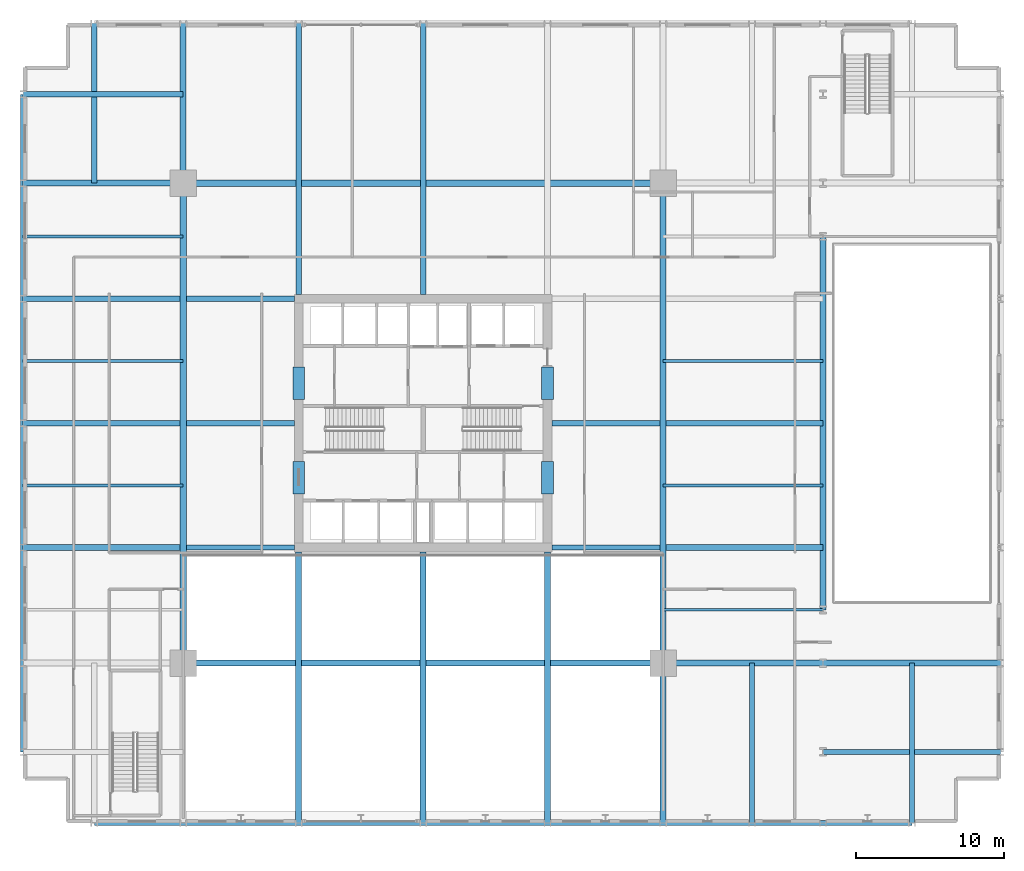
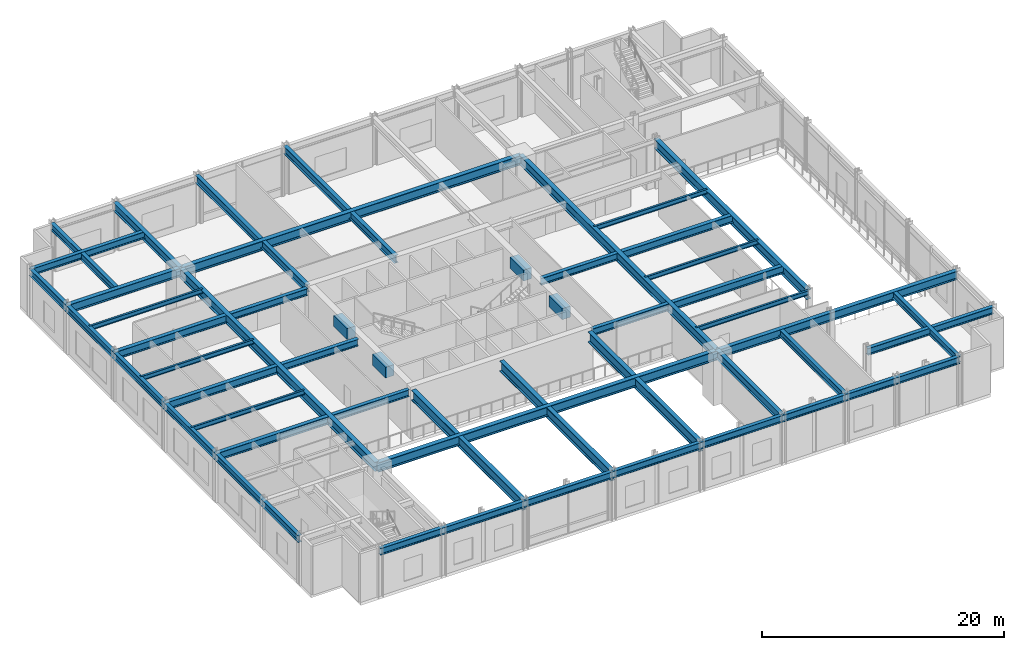
# One storey, part 4 of 19: 42 beams.
"""IFC4 building model written with IfcOpenShell, lengths in metres."""

from ifc_helpers import new_model, si_unit, direction, frame, origin, origin_2d, place, context, subcontext, project, spatial, rectangle, i_section, extrude, material, material_profile, profile_set, type_object, element, save


model = new_model("IFC4")

# Units and contexts
model_context = context("Model", 3, precision=1e-05, world=origin(), true_north=direction((0.0, 1.0)))
body_context = subcontext(model_context, "Body", "Model", "MODEL_VIEW")
ifc_project = project(units=[si_unit("LENGTHUNIT", "METRE"), si_unit("AREAUNIT", "SQUARE_METRE"), si_unit("VOLUMEUNIT", "CUBIC_METRE"), si_unit("PLANEANGLEUNIT", "RADIAN"), si_unit("MASSUNIT", "GRAM", prefix="KILO")], contexts=[model_context])

# Site, building, storey
site_placement = place(None, origin())
site = spatial("IfcSite", under=ifc_project, at=site_placement, CompositionType="ELEMENT")
building_placement = place(site_placement, origin())
building = spatial("IfcBuilding", under=site, at=building_placement, Name="Drelvath Grand Hotel", CompositionType="ELEMENT")
storey_placement = place(building_placement, frame((0.0, 0.0, 17.199951171875)))
storey = spatial("IfcBuildingStorey", under=building, at=storey_placement, Name="L03", CompositionType="ELEMENT", Elevation=17.199951171875)

# Beams
ifc_material_1 = material(Name="Steel ASTM A992 Gr 50", Category="steel")
ifc_material_profile_1 = material_profile(ifc_material_1, i_section(OverallWidth=0.19140625, OverallDepth=0.4599609375, WebThickness=0.010009765625, FlangeThickness=0.01611328125, FilletRadius=0.01611328125, at=origin_2d()), Name="W18X55")
ifc_profile_set_1 = profile_set([ifc_material_profile_1], Name="Steel ASTM A992 Gr 50")
beam_type_1 = type_object("IfcBeamType", Name="Composite Floor Joist W18X55", PredefinedType="JOIST", material=ifc_profile_set_1)
for number, where, z_axis, x_axis, name in (
    (1, (-27.0, 22.800048828125, 4.670166015625), (1.0, 0.0, 0.0), (0.0, 1.0, 0.0), "L03 West Composite Joist J1"),
    (2, (16.199951171875, 22.800048828125, 4.670166015625), (1.0, 0.0, 0.0), (0.0, 1.0, 0.0), "L03 East Composite Joist J1"),
    (3, (-27.0, 31.199951171875, 4.670166015625), (1.0, 0.0, 0.0), (0.0, 1.0, 0.0), "L03 West Composite Joist J2"),
    (4, (16.199951171875, 31.199951171875, 4.670166015625), (1.0, 0.0, 0.0), (0.0, 1.0, 0.0), "L03 East Composite Joist J2"),
    (5, (16.199951171875, 14.39990234375, 4.670166015625), (1.0, 0.0, 0.0), (0.0, 1.0, 0.0), "L03 East Composite Joist J3"),
    (6, (-27.0, 39.60009765625, 4.670166015625), (1.0, 0.0, 0.0), (0.0, 1.0, 0.0), "L03 West Composite Joist J4"),
):
    element("IfcBeam", number, at=place(storey_placement, frame(where, z_axis=z_axis, x_axis=x_axis)), inside=storey, type_object=beam_type_1, Name=name, PredefinedType="JOIST", context=body_context, shape_type="SweptSolid", body=[
        extrude(i_section(OverallWidth=0.19140625, OverallDepth=0.4599609375, WebThickness=0.010009765625, FlangeThickness=0.01611328125, FilletRadius=0.01611328125, at=origin_2d()), origin(), (0.0, 0.0, 1.0), 10.800048828125),
    ])
ifc_material_2 = material(Name="Concrete f'c 70 MPa", Category="concrete")
ifc_material_profile_2 = material_profile(ifc_material_2, rectangle(XDim=0.800048828125, YDim=1.10009765625, at=origin_2d()), Name="CB800X1100")
ifc_profile_set_2 = profile_set([ifc_material_profile_2], Name="Concrete f'c 70 MPa")
beam_type_2 = type_object("IfcBeamType", Name="Core Coupling Lintel CB800X1100", PredefinedType="LINTEL", material=ifc_profile_set_2)
for number, where, z_axis, x_axis, name in (
    (7, (-8.39990234375, 22.199951171875, 4.35009765625), (0.0, 1.0, 0.0), (-1.0, 0.0, 0.0), "L03 Core Coupling Lintel WS"),
    (8, (-8.39990234375, 28.60009765625, 4.35009765625), (0.0, 1.0, 0.0), (-1.0, 0.0, 0.0), "L03 Core Coupling Lintel WN"),
    (9, (8.39990234375, 22.199951171875, 4.35009765625), (0.0, 1.0, 0.0), (-1.0, 0.0, 0.0), "L03 Core Coupling Lintel ES"),
    (10, (8.39990234375, 28.60009765625, 4.35009765625), (0.0, 1.0, 0.0), (-1.0, 0.0, 0.0), "L03 Core Coupling Lintel EN"),
):
    element("IfcBeam", number, at=place(storey_placement, frame(where, z_axis=z_axis, x_axis=x_axis)), inside=storey, type_object=beam_type_2, Name=name, PredefinedType="LINTEL", context=body_context, shape_type="SweptSolid", body=[
        extrude(rectangle(XDim=0.800048828125, YDim=1.10009765625, at=origin_2d()), origin(), (0.0, 0.0, 1.0), 2.199951171875),
    ])
ifc_material_profile_3 = material_profile(ifc_material_1, i_section(OverallWidth=0.354736328125, OverallDepth=0.695556640625, WebThickness=0.015380859375, FlangeThickness=0.025146484375, FilletRadius=0.02392578125, at=origin_2d()), Name="W27X146")
ifc_profile_set_3 = profile_set([ifc_material_profile_3], Name="Steel ASTM A992 Gr 50")
beam_type_3 = type_object("IfcBeamType", Name="Perimeter Spandrel Beam W27X146", PredefinedType="SPANDREL", material=ifc_profile_set_3)
beam_1_placement = place(storey_placement, frame((-27.0, 4.800048828125, 4.55224609375), z_axis=(0.0, 1.0, 0.0), x_axis=(-1.0, 0.0, 0.0)))
element("IfcBeam", 11, at=beam_1_placement, inside=storey, type_object=beam_type_3, Name="L03 Podium Perimeter Spandrel SPW1", PredefinedType="SPANDREL", context=body_context, shape_type="SweptSolid", body=[
    extrude(i_section(OverallWidth=0.354736328125, OverallDepth=0.695556640625, WebThickness=0.015380859375, FlangeThickness=0.025146484375, FilletRadius=0.02392578125, at=origin_2d()), origin(), (0.0, 0.0, 1.0), 44.39990234375),
])
beam_2_placement = place(storey_placement, frame((-22.199951171875, 0.0, 4.55224609375), z_axis=(1.0, 0.0, 0.0), x_axis=(0.0, 1.0, 0.0)))
element("IfcBeam", 12, at=beam_2_placement, inside=storey, type_object=beam_type_3, Name="L03 Podium Perimeter Spandrel SPS1", PredefinedType="SPANDREL", context=body_context, shape_type="SweptSolid", body=[
    extrude(i_section(OverallWidth=0.354736328125, OverallDepth=0.695556640625, WebThickness=0.015380859375, FlangeThickness=0.025146484375, FilletRadius=0.02392578125, at=origin_2d()), origin(), (0.0, 0.0, 1.0), 55.199951171875),
])
ifc_material_profile_4 = material_profile(ifc_material_1, i_section(OverallWidth=0.354736328125, OverallDepth=0.695556640625, WebThickness=0.015380859375, FlangeThickness=0.025146484375, FilletRadius=0.02392578125, at=origin_2d()), Name="W27X146")
ifc_profile_set_4 = profile_set([ifc_material_profile_4], Name="Steel ASTM A992 Gr 50")
beam_type_4 = type_object("IfcBeamType", Name="Primary Floor Girder W27X146", PredefinedType="BEAM", material=ifc_profile_set_4)
for number, where, z_axis, x_axis, name in (
    (13, (-15.988525390625, 18.60009765625, 4.55224609375), (1.0, 0.0, 0.0), (0.0, 1.0, 0.0), "L03 West Core Girder D"),
    (14, (8.699951171875, 18.60009765625, 4.55224609375), (1.0, 0.0, 0.0), (0.0, 1.0, 0.0), "L03 East Core Girder D"),
    (15, (-15.988525390625, 27.0, 4.55224609375), (1.0, 0.0, 0.0), (0.0, 1.0, 0.0), "L03 West Core Girder E"),
    (16, (8.699951171875, 27.0, 4.55224609375), (1.0, 0.0, 0.0), (0.0, 1.0, 0.0), "L03 East Core Girder E"),
    (17, (-15.988525390625, 35.39990234375, 4.55224609375), (1.0, 0.0, 0.0), (0.0, 1.0, 0.0), "L03 West Core Girder F"),
):
    element("IfcBeam", number, at=place(storey_placement, frame(where, z_axis=z_axis, x_axis=x_axis)), inside=storey, type_object=beam_type_4, Name=name, PredefinedType="BEAM", context=body_context, shape_type="SweptSolid", body=[
        extrude(i_section(OverallWidth=0.354736328125, OverallDepth=0.695556640625, WebThickness=0.015380859375, FlangeThickness=0.025146484375, FilletRadius=0.02392578125, at=origin_2d()), origin(), (0.0, 0.0, 1.0), 7.28857421875),
    ])
beam_3_placement = place(storey_placement, frame((27.0, 4.800048828125, 4.55224609375), z_axis=(1.0, 0.0, 0.0), x_axis=(0.0, 1.0, 0.0)))
element("IfcBeam", 18, at=beam_3_placement, inside=storey, type_object=beam_type_4, Name="L03 East Corner Tie B", PredefinedType="BEAM", context=body_context, shape_type="SweptSolid", body=[
    extrude(i_section(OverallWidth=0.354736328125, OverallDepth=0.695556640625, WebThickness=0.015380859375, FlangeThickness=0.025146484375, FilletRadius=0.02392578125, at=origin_2d()), origin(), (0.0, 0.0, 1.0), 12.0),
])
for number, where, z_axis, x_axis, name in (
    (19, (-27.0, 49.199951171875, 4.55224609375), (1.0, 0.0, 0.0), (0.0, 1.0, 0.0), "L03 West Corner Tie H"),
    (20, (-22.199951171875, 43.199951171875, 4.55224609375), (0.0, 1.0, 0.0), (-1.0, 0.0, 0.0), "L03 North Corner Tie 2"),
    (21, (22.199951171875, 0.0, 4.55224609375), (0.0, 1.0, 0.0), (-1.0, 0.0, 0.0), "L03 South Corner Tie 8"),
    (22, (33.0, 0.0, 4.55224609375), (0.0, 1.0, 0.0), (-1.0, 0.0, 0.0), "L03 South Corner Tie 10"),
):
    element("IfcBeam", number, at=place(storey_placement, frame(where, z_axis=z_axis, x_axis=x_axis)), inside=storey, type_object=beam_type_4, Name=name, PredefinedType="BEAM", context=body_context, shape_type="SweptSolid", body=[
        extrude(i_section(OverallWidth=0.354736328125, OverallDepth=0.695556640625, WebThickness=0.015380859375, FlangeThickness=0.025146484375, FilletRadius=0.02392578125, at=origin_2d()), origin(), (0.0, 0.0, 1.0), 10.800048828125),
    ])
ifc_material_profile_5 = material_profile(ifc_material_1, i_section(OverallWidth=0.380615234375, OverallDepth=0.773193359375, WebThickness=0.0166015625, FlangeThickness=0.027099609375, FilletRadius=0.02490234375, at=origin_2d()), Name="W30X173")
ifc_profile_set_5 = profile_set([ifc_material_profile_5], Name="Steel ASTM A992 Gr 50")
beam_type_5 = type_object("IfcBeamType", Name="Primary Floor Girder W30X173", PredefinedType="BEAM", material=ifc_profile_set_5)
for number, where, z_axis, x_axis, name in (
    (23, (-8.39990234375, 35.699951171875, 4.513427734375), (0.0, 1.0, 0.0), (-1.0, 0.0, 0.0), "L03 North Span Girder Grid 4"),
    (24, (0.0, 35.699951171875, 4.513427734375), (0.0, 1.0, 0.0), (-1.0, 0.0, 0.0), "L03 North Span Girder Grid 5"),
):
    element("IfcBeam", number, at=place(storey_placement, frame(where, z_axis=z_axis, x_axis=x_axis)), inside=storey, type_object=beam_type_5, Name=name, PredefinedType="BEAM", context=body_context, shape_type="SweptSolid", body=[
        extrude(i_section(OverallWidth=0.380615234375, OverallDepth=0.773193359375, WebThickness=0.0166015625, FlangeThickness=0.027099609375, FilletRadius=0.02490234375, at=origin_2d()), origin(), (0.0, 0.0, 1.0), 18.300048828125),
    ])
for number, where, z_axis, x_axis, name in (
    (25, (-27.0, 18.60009765625, 4.513427734375), (1.0, 0.0, 0.0), (0.0, 1.0, 0.0), "L03 West Bay Girder D"),
    (26, (16.41162109375, 18.60009765625, 4.513427734375), (1.0, 0.0, 0.0), (0.0, 1.0, 0.0), "L03 East Bay Girder D"),
    (27, (-27.0, 27.0, 4.513427734375), (1.0, 0.0, 0.0), (0.0, 1.0, 0.0), "L03 West Bay Girder E"),
    (28, (16.41162109375, 27.0, 4.513427734375), (1.0, 0.0, 0.0), (0.0, 1.0, 0.0), "L03 East Bay Girder E"),
    (29, (-27.0, 35.39990234375, 4.513427734375), (1.0, 0.0, 0.0), (0.0, 1.0, 0.0), "L03 West Bay Girder F"),
):
    element("IfcBeam", number, at=place(storey_placement, frame(where, z_axis=z_axis, x_axis=x_axis)), inside=storey, type_object=beam_type_5, Name=name, PredefinedType="BEAM", context=body_context, shape_type="SweptSolid", body=[
        extrude(i_section(OverallWidth=0.380615234375, OverallDepth=0.773193359375, WebThickness=0.0166015625, FlangeThickness=0.027099609375, FilletRadius=0.02490234375, at=origin_2d()), origin(), (0.0, 0.0, 1.0), 10.58837890625),
    ])
ifc_material_profile_6 = material_profile(ifc_material_1, i_section(OverallWidth=0.39990234375, OverallDepth=0.85546875, WebThickness=0.018310546875, FlangeThickness=0.029296875, FilletRadius=0.02490234375, at=origin_2d()), Name="W33X201")
ifc_profile_set_6 = profile_set([ifc_material_profile_6], Name="Steel ASTM A992 Gr 50")
beam_type_6 = type_object("IfcBeamType", Name="Primary Floor Girder W33X201", PredefinedType="BEAM", material=ifc_profile_set_6)
beam_4_placement = place(storey_placement, frame((16.199951171875, 10.800048828125, 4.472412109375), z_axis=(1.0, 0.0, 0.0), x_axis=(0.0, 1.0, 0.0)))
element("IfcBeam", 30, at=beam_4_placement, inside=storey, type_object=beam_type_6, Name="L03 East Podium Girder 1 C", PredefinedType="BEAM", context=body_context, shape_type="SweptSolid", body=[
    extrude(i_section(OverallWidth=0.39990234375, OverallDepth=0.85546875, WebThickness=0.018310546875, FlangeThickness=0.029296875, FilletRadius=0.02490234375, at=origin_2d()), origin(), (0.0, 0.0, 1.0), 10.800048828125),
])
beam_5_placement = place(storey_placement, frame((27.0, 10.800048828125, 4.472412109375), z_axis=(1.0, 0.0, 0.0), x_axis=(0.0, 1.0, 0.0)))
element("IfcBeam", 31, at=beam_5_placement, inside=storey, type_object=beam_type_6, Name="L03 East Podium Girder 2 C", PredefinedType="BEAM", context=body_context, shape_type="SweptSolid", body=[
    extrude(i_section(OverallWidth=0.39990234375, OverallDepth=0.85546875, WebThickness=0.018310546875, FlangeThickness=0.029296875, FilletRadius=0.02490234375, at=origin_2d()), origin(), (0.0, 0.0, 1.0), 12.0),
])
for number, where, z_axis, x_axis, name in (
    (32, (-27.0, 43.199951171875, 4.472412109375), (1.0, 0.0, 0.0), (0.0, 1.0, 0.0), "L03 West Podium Girder G"),
    (33, (-16.199951171875, 43.199951171875, 4.472412109375), (0.0, 1.0, 0.0), (-1.0, 0.0, 0.0), "L03 North Podium Girder 3"),
    (34, (16.199951171875, 0.0, 4.472412109375), (0.0, 1.0, 0.0), (-1.0, 0.0, 0.0), "L03 South Podium Girder 7"),
):
    element("IfcBeam", number, at=place(storey_placement, frame(where, z_axis=z_axis, x_axis=x_axis)), inside=storey, type_object=beam_type_6, Name=name, PredefinedType="BEAM", context=body_context, shape_type="SweptSolid", body=[
        extrude(i_section(OverallWidth=0.39990234375, OverallDepth=0.85546875, WebThickness=0.018310546875, FlangeThickness=0.029296875, FilletRadius=0.02490234375, at=origin_2d()), origin(), (0.0, 0.0, 1.0), 10.800048828125),
    ])
ifc_material_profile_7 = material_profile(ifc_material_1, i_section(OverallWidth=0.423095703125, OverallDepth=0.9482421875, WebThickness=0.02392578125, FlangeThickness=0.042724609375, FilletRadius=0.028076171875, at=origin_2d()), Name="W36X302")
ifc_profile_set_7 = profile_set([ifc_material_profile_7], Name="Steel ASTM A992 Gr 50")
beam_type_7 = type_object("IfcBeamType", Name="Primary Floor Girder W36X302", PredefinedType="BEAM", material=ifc_profile_set_7)
for number, where, z_axis, x_axis, name in (
    (35, (-16.199951171875, 10.800048828125, 4.426025390625), (1.0, 0.0, 0.0), (0.0, 1.0, 0.0), "L03 Mega Frame Girder South"),
    (36, (-16.199951171875, 43.199951171875, 4.426025390625), (1.0, 0.0, 0.0), (0.0, 1.0, 0.0), "L03 Mega Frame Girder North"),
    (37, (-16.199951171875, 10.800048828125, 4.426025390625), (0.0, 1.0, 0.0), (-1.0, 0.0, 0.0), "L03 Mega Frame Girder West"),
    (38, (16.199951171875, 10.800048828125, 4.426025390625), (0.0, 1.0, 0.0), (-1.0, 0.0, 0.0), "L03 Mega Frame Girder East"),
):
    element("IfcBeam", number, at=place(storey_placement, frame(where, z_axis=z_axis, x_axis=x_axis)), inside=storey, type_object=beam_type_7, Name=name, PredefinedType="BEAM", context=body_context, shape_type="SweptSolid", body=[
        extrude(i_section(OverallWidth=0.423095703125, OverallDepth=0.9482421875, WebThickness=0.02392578125, FlangeThickness=0.042724609375, FilletRadius=0.028076171875, at=origin_2d()), origin(), (0.0, 0.0, 1.0), 32.39990234375),
    ])
beam_6_placement = place(storey_placement, frame((27.0, 14.39990234375, 4.426025390625), z_axis=(0.0, 1.0, 0.0), x_axis=(-1.0, 0.0, 0.0)))
element("IfcBeam", 39, at=beam_6_placement, inside=storey, type_object=beam_type_7, Name="L03 Atrium Edge Girder Grid 9", PredefinedType="BEAM", context=body_context, shape_type="SweptSolid", body=[
    extrude(i_section(OverallWidth=0.423095703125, OverallDepth=0.9482421875, WebThickness=0.02392578125, FlangeThickness=0.042724609375, FilletRadius=0.028076171875, at=origin_2d()), origin(), (0.0, 0.0, 1.0), 25.2001953125),
])
ifc_material_profile_8 = material_profile(ifc_material_1, i_section(OverallWidth=0.40966796875, OverallDepth=1.037353515625, WebThickness=0.031005859375, FlangeThickness=0.055908203125, FilletRadius=0.030029296875, at=origin_2d()), Name="W40X397")
ifc_profile_set_8 = profile_set([ifc_material_profile_8], Name="Steel ASTM A992 Gr 50")
beam_type_8 = type_object("IfcBeamType", Name="Primary Floor Girder W40X397", PredefinedType="BEAM", material=ifc_profile_set_8)
for number, where, z_axis, x_axis, name in (
    (40, (-8.39990234375, 0.0, 4.38134765625), (0.0, 1.0, 0.0), (-1.0, 0.0, 0.0), "L03 South Span Girder Grid 4"),
    (41, (0.0, 0.0, 4.38134765625), (0.0, 1.0, 0.0), (-1.0, 0.0, 0.0), "L03 South Span Girder Grid 5"),
    (42, (8.39990234375, 0.0, 4.38134765625), (0.0, 1.0, 0.0), (-1.0, 0.0, 0.0), "L03 South Span Girder Grid 6"),
):
    element("IfcBeam", number, at=place(storey_placement, frame(where, z_axis=z_axis, x_axis=x_axis)), inside=storey, type_object=beam_type_8, Name=name, PredefinedType="BEAM", context=body_context, shape_type="SweptSolid", body=[
        extrude(i_section(OverallWidth=0.40966796875, OverallDepth=1.037353515625, WebThickness=0.031005859375, FlangeThickness=0.055908203125, FilletRadius=0.030029296875, at=origin_2d()), origin(), (0.0, 0.0, 1.0), 18.300048828125),
    ])

save(model, "model.ifc")
